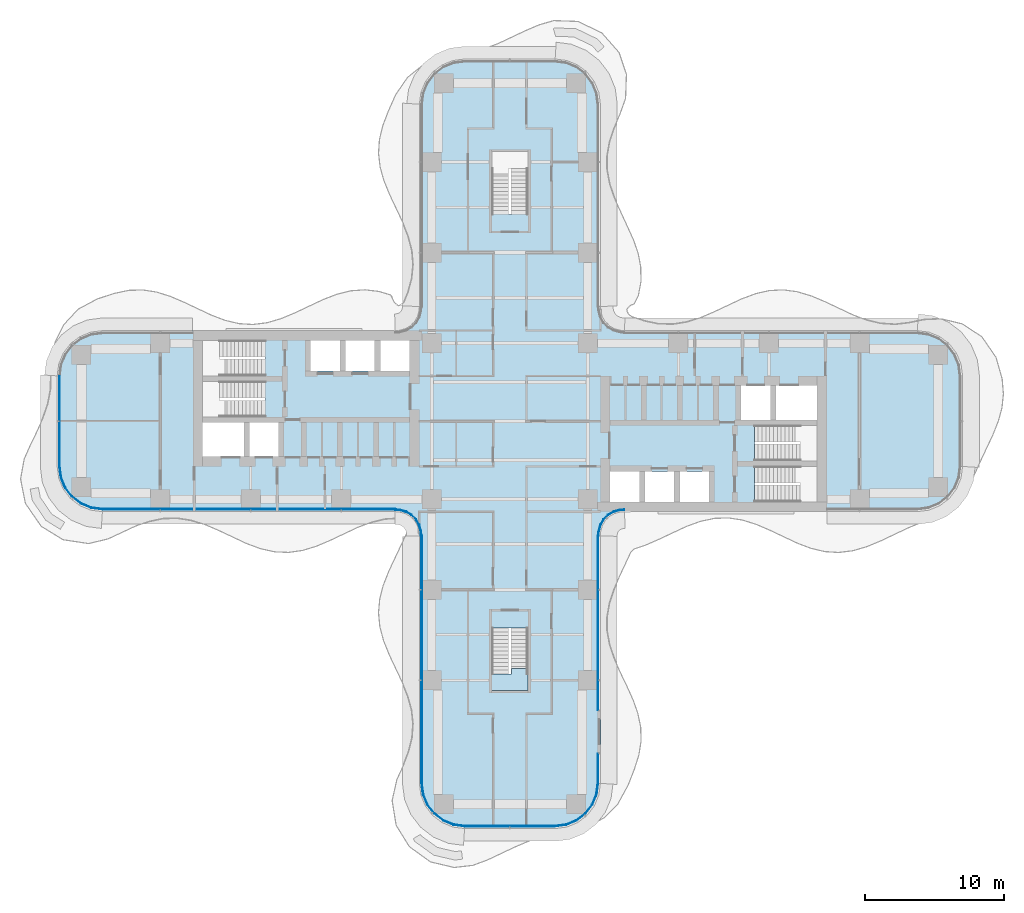
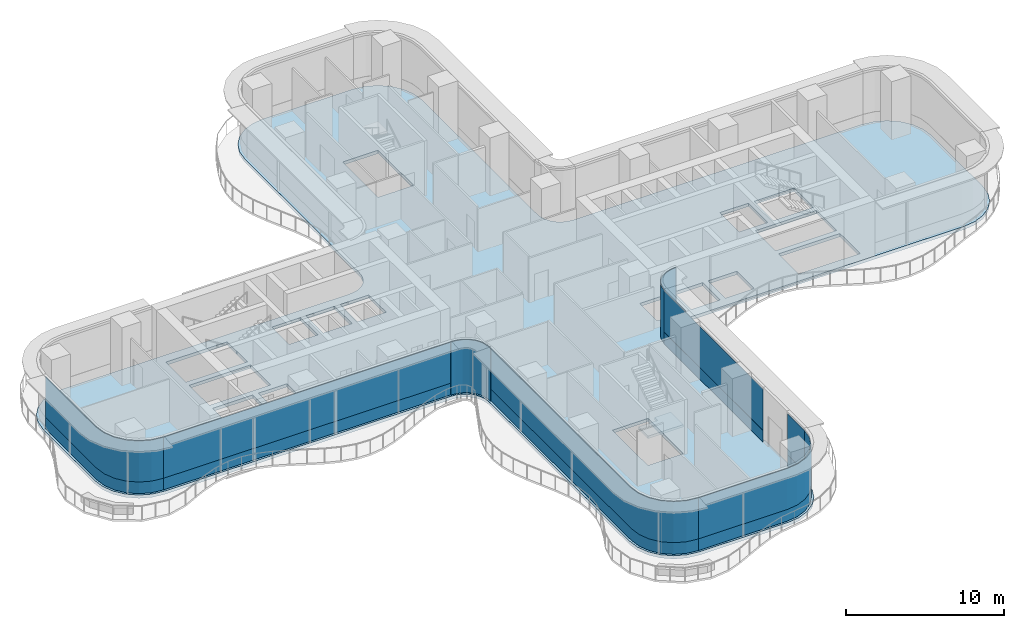
# One storey, part 14 of 23: 14 plates, 2 slabs, 9 elements without a shape of their own.
"""IFC4 building model written with IfcOpenShell, lengths in metres."""

from ifc_helpers import new_model, si_unit, direction, frame, origin, place, context, subcontext, project, spatial, polyline, outline, extrude, source, transform, mapped, material, layer, layer_set, type_object, element, aggregate, save


model = new_model("IFC4")

# Units and contexts
model_context = context("Model", 3, precision=1e-05, world=origin(), true_north=direction((0.0, 1.0)))
body_context = subcontext(model_context, "Body", "Model", "MODEL_VIEW")
ifc_project = project(units=[si_unit("LENGTHUNIT", "METRE"), si_unit("AREAUNIT", "SQUARE_METRE"), si_unit("VOLUMEUNIT", "CUBIC_METRE"), si_unit("PLANEANGLEUNIT", "RADIAN"), si_unit("MASSUNIT", "GRAM", prefix="KILO")], contexts=[model_context])

# Site, building, storey
site_placement = place(None, origin())
site = spatial("IfcSite", under=ifc_project, at=site_placement, CompositionType="ELEMENT")
building_placement = place(site_placement, origin())
building = spatial("IfcBuilding", under=site, at=building_placement, Name="Trellis Farm Tower", CompositionType="ELEMENT")
storey_placement = place(building_placement, frame((0.0, 0.0, 74.5)))
storey = spatial("IfcBuildingStorey", under=building, at=storey_placement, Name="L15", CompositionType="ELEMENT", Elevation=74.5)

# Slab
ifc_material_1 = material(Name="Concrete C40/50", Category="concrete")
ifc_layer_1 = layer(ifc_material_1, 0.25)
ifc_layer_set_1 = layer_set([ifc_layer_1], Name="Composite deck floor slab 250")
slab_type_1 = type_object("IfcSlabType", Name="Composite deck floor slab 250", PredefinedType="FLOOR", material=ifc_layer_set_1)
shared_shape_1 = source(origin(), body_context, "Body", "SweptSolid", [
    extrude(outline(polyline([(-30.09130859375, -6.389404296875), (-30.875, -6.064697265625), (-31.548095703125, -5.548095703125), (-32.064697265625, -4.875), (-32.389404296875, -4.09130859375), (-32.5, -3.25), (-32.5, 3.25), (-32.389404296875, 4.09130859375), (-32.064697265625, 4.875), (-31.548095703125, 5.548095703125), (-30.875, 6.064697265625), (-30.09130859375, 6.389404296875), (-29.25, 6.5), (-8.2314453125, 6.5), (-8.01953125, 6.513916015625), (-7.91552734375, 6.527587890625), (-7.508544921875, 6.63671875), (-7.144287109375, 6.846923828125), (-6.846923828125, 7.144287109375), (-6.63671875, 7.508544921875), (-6.527587890625, 7.91552734375), (-6.513916015625, 8.01953125), (-6.5, 8.2314453125), (-6.5, 22.75), (-6.389404296875, 23.59130859375), (-6.064697265625, 24.375), (-5.548095703125, 25.048095703125), (-4.875, 25.564697265625), (-4.09130859375, 25.889404296875), (-3.25, 26.0), (3.25, 26.0), (4.09130859375, 25.889404296875), (4.875, 25.564697265625), (5.548095703125, 25.048095703125), (6.064697265625, 24.375), (6.389404296875, 23.59130859375), (6.5, 22.75), (6.5, 8.2314453125), (6.513916015625, 8.01953125), (6.527587890625, 7.91552734375), (6.63671875, 7.508544921875), (6.846923828125, 7.144287109375), (7.144287109375, 6.846923828125), (7.508544921875, 6.63671875), (7.91552734375, 6.527587890625), (8.01953125, 6.513916015625), (8.2314453125, 6.5), (29.25, 6.5), (30.09130859375, 6.389404296875), (30.875, 6.064697265625), (31.548095703125, 5.548095703125), (32.064697265625, 4.875), (32.389404296875, 4.09130859375), (32.5, 3.25), (32.5, -3.25), (32.389404296875, -4.09130859375), (32.064697265625, -4.875), (31.548095703125, -5.548095703125), (30.875, -6.064697265625), (30.09130859375, -6.389404296875), (29.25, -6.5), (8.2314453125, -6.5), (8.01953125, -6.513916015625), (7.91552734375, -6.527587890625), (7.508544921875, -6.63671875), (7.144287109375, -6.846923828125), (6.846923828125, -7.144287109375), (6.63671875, -7.508544921875), (6.527587890625, -7.91552734375), (6.513916015625, -8.01953125), (6.5, -8.2314453125), (6.5, -26.0), (6.389404296875, -26.84130859375), (6.064697265625, -27.625), (5.548095703125, -28.298095703125), (4.875, -28.814697265625), (4.09130859375, -29.139404296875), (3.25, -29.25), (-3.25, -29.25), (-4.09130859375, -29.139404296875), (-4.875, -28.814697265625), (-5.548095703125, -28.298095703125), (-6.064697265625, -27.625), (-6.389404296875, -26.84130859375), (-6.5, -26.0), (-6.5, -8.2314453125), (-6.513916015625, -8.01953125), (-6.527587890625, -7.91552734375), (-6.63671875, -7.508544921875), (-6.846923828125, -7.144287109375), (-7.144287109375, -6.846923828125), (-7.508544921875, -6.63671875), (-7.91552734375, -6.527587890625), (-8.01953125, -6.513916015625), (-8.2314453125, -6.5), (-29.25, -6.5), (-30.09130859375, -6.389404296875)]), holes=[polyline([(-22.050048828125, -0.10009765625), (-22.050048828125, -2.550048828125), (-19.10009765625, -2.550048828125), (-19.10009765625, -0.10009765625), (-22.050048828125, -0.10009765625)]), polyline([(-18.699951171875, -0.10009765625), (-18.699951171875, -2.550048828125), (-16.60009765625, -2.550048828125), (-16.60009765625, -0.10009765625), (-18.699951171875, -0.10009765625)]), polyline([(-17.56201171875, 1.64990234375), (-17.56201171875, 2.85009765625), (-22.050048828125, 2.85009765625), (-22.050048828125, 0.300048828125), (-17.56005859375, 0.300048828125), (-17.56005859375, 1.5), (-17.550048828125, 1.5), (-17.550048828125, 1.64990234375), (-17.56201171875, 1.64990234375)]), polyline([(-17.56201171875, 4.60009765625), (-17.56201171875, 5.800048828125), (-22.050048828125, 5.800048828125), (-22.050048828125, 3.25), (-17.56005859375, 3.25), (-17.56005859375, 4.449951171875), (-17.550048828125, 4.449951171875), (-17.550048828125, 4.60009765625), (-17.56201171875, 4.60009765625)]), polyline([(-14.300048828125, 5.800048828125), (-14.300048828125, 3.60009765625), (-12.199951171875, 3.60009765625), (-12.199951171875, 5.800048828125), (-14.300048828125, 5.800048828125)]), polyline([(-11.800048828125, 5.800048828125), (-11.800048828125, 3.60009765625), (-9.699951171875, 3.60009765625), (-9.699951171875, 5.800048828125), (-11.800048828125, 5.800048828125)]), polyline([(-9.300048828125, 5.800048828125), (-9.300048828125, 3.60009765625), (-7.199951171875, 3.60009765625), (-7.199951171875, 5.800048828125), (-9.300048828125, 5.800048828125)]), polyline([(0.10009765625, 14.862060546875), (1.300048828125, 14.862060546875), (1.300048828125, 19.35009765625), (-1.300048828125, 19.35009765625), (-1.300048828125, 14.860107421875), (-0.10009765625, 14.860107421875), (-0.10009765625, 14.85009765625), (0.10009765625, 14.85009765625), (0.10009765625, 14.862060546875)]), polyline([(-0.10009765625, -14.862060546875), (-1.300048828125, -14.862060546875), (-1.300048828125, -19.35009765625), (1.300048828125, -19.35009765625), (1.300048828125, -14.860107421875), (0.10009765625, -14.860107421875), (0.10009765625, -14.85009765625), (-0.10009765625, -14.85009765625), (-0.10009765625, -14.862060546875)]), polyline([(9.300048828125, -5.800048828125), (9.300048828125, -3.60009765625), (7.199951171875, -3.60009765625), (7.199951171875, -5.800048828125), (9.300048828125, -5.800048828125)]), polyline([(11.800048828125, -5.800048828125), (11.800048828125, -3.60009765625), (9.699951171875, -3.60009765625), (9.699951171875, -5.800048828125), (11.800048828125, -5.800048828125)]), polyline([(14.300048828125, -5.800048828125), (14.300048828125, -3.60009765625), (12.199951171875, -3.60009765625), (12.199951171875, -5.800048828125), (14.300048828125, -5.800048828125)]), polyline([(17.56201171875, -4.60009765625), (17.56201171875, -5.800048828125), (22.050048828125, -5.800048828125), (22.050048828125, -3.25), (17.56005859375, -3.25), (17.56005859375, -4.449951171875), (17.550048828125, -4.449951171875), (17.550048828125, -4.60009765625), (17.56201171875, -4.60009765625)]), polyline([(17.56201171875, -1.64990234375), (17.56201171875, -2.85009765625), (22.050048828125, -2.85009765625), (22.050048828125, -0.300048828125), (17.56005859375, -0.300048828125), (17.56005859375, -1.5), (17.550048828125, -1.5), (17.550048828125, -1.64990234375), (17.56201171875, -1.64990234375)]), polyline([(18.699951171875, 0.10009765625), (18.699951171875, 2.550048828125), (16.60009765625, 2.550048828125), (16.60009765625, 0.10009765625), (18.699951171875, 0.10009765625)]), polyline([(22.050048828125, 0.10009765625), (22.050048828125, 2.550048828125), (19.10009765625, 2.550048828125), (19.10009765625, 0.10009765625), (22.050048828125, 0.10009765625)])]), origin(), (0.0, 0.0, 1.0), 0.25),
])
slab_1_placement = place(storey_placement, frame((0.0, 0.0, -0.25)))
element("IfcSlab", 1, at=slab_1_placement, inside=storey, type_object=slab_type_1, Name="Floor slab", PredefinedType="FLOOR", context=body_context, shape_type="MappedRepresentation", body=[
    mapped(shared_shape_1, transform((0.0, 0.0, 0.0))),
])

# Stair, slab
ifc_material_2 = material(Name="Concrete C50/60", Category="concrete")
stair_type = type_object("IfcStairType", Name="CORE EXIT STAIR 26 RISERS 173 MM", PredefinedType="HALF_TURN_STAIR", material=ifc_material_2)
placement_1 = place(storey_placement, origin())
stair = element("IfcStair", 2, at=placement_1, inside=storey, type_object=stair_type, Name="Exit stair S", PredefinedType="HALF_TURN_STAIR")
ifc_layer_2 = layer(ifc_material_2, 0.18994140625)
ifc_layer_set_2 = layer_set([ifc_layer_2], Name="CORE STAIR LANDING 190 CONCRETE C50/60")
slab_type_2 = type_object("IfcSlabType", Name="CORE STAIR LANDING 190 CONCRETE C50/60", PredefinedType="LANDING", material=ifc_layer_set_2)
shared_shape_2 = source(origin(), body_context, "Body", "SweptSolid", [
    extrude(outline(polyline([(1.300048828125, -19.35009765625), (-1.300048828125, -19.35009765625), (-1.300048828125, -18.14990234375), (-1.300048828125, -18.139892578125), (-0.10009765625, -18.139892578125), (-0.10009765625, -18.14990234375), (0.10009765625, -18.14990234375), (0.10009765625, -17.753173828125), (1.300048828125, -17.753173828125), (1.300048828125, -18.14990234375), (1.300048828125, -19.35009765625)])), origin(), (0.0, 0.0, 1.0), 0.18994140625),
])
slab_2_placement = place(storey_placement, frame((0.0, 0.0, 2.06005859375)))
slab_2 = element("IfcSlab", 3, at=slab_2_placement, type_object=slab_type_2, Name="STS landing 1", PredefinedType="LANDING", context=body_context, shape_type="MappedRepresentation", body=[
    mapped(shared_shape_2, transform((0.0, 0.0, 0.0))),
])
aggregate(stair, [slab_2])

# Curtain wall, plates
ifc_material_3 = material(Name="Aluminium and glass curtain wall", Category="aluminium")
ifc_layer_3 = layer(ifc_material_3, 0.18994140625)
ifc_layer_set_3 = layer_set([ifc_layer_3], Name="RIBBON CURTAIN WALL CW1")
curtain_wall_type_1 = type_object("IfcCurtainWallType", Name="RIBBON CURTAIN WALL CW1", PredefinedType="NOTDEFINED", material=ifc_layer_set_3)
curtain_wall_1 = element("IfcCurtainWall", 4, at=placement_1, inside=storey, type_object=curtain_wall_type_1, Name="CW1 001", PredefinedType="NOTDEFINED")
ifc_material_4 = material(Name="Clear insulated glass", Category="glass")
ifc_layer_4 = layer(ifc_material_4, 0.0400390625)
ifc_layer_set_4 = layer_set([ifc_layer_4], Name="CW1 GLASS PANEL 40")
plate_type_1 = type_object("IfcPlateType", Name="CW1 GLASS PANEL 40", PredefinedType="CURTAIN_PANEL", material=ifc_layer_set_4)
shared_shape_3 = source(origin(), body_context, "Body", "SweptSolid", [
    extrude(outline(polyline([(-29.240234375, -6.35009765625), (-8.2265625, -6.35009765625), (-8.22509765625, -6.31005859375), (-29.237548828125, -6.31005859375), (-29.240234375, -6.35009765625)])), origin(), (0.0, 0.0, 1.0), 3.170166015625),
])
placement_2 = place(storey_placement, frame((0.0, 0.0, 0.89990234375)))
plate_1 = element("IfcPlate", 5, at=placement_2, type_object=plate_type_1, Name="PL1 001", PredefinedType="CURTAIN_PANEL", context=body_context, shape_type="MappedRepresentation", body=[
    mapped(shared_shape_3, transform((0.0, 0.0, 0.0))),
])
ifc_material_5 = material(Name="Sandstone faced insulated panel", Category="masonry")
ifc_layer_5 = layer(ifc_material_5, 0.050048828125)
ifc_layer_set_5 = layer_set([ifc_layer_5], Name="CW1 STONE SPANDREL PANEL 50")
plate_type_2 = type_object("IfcPlateType", Name="CW1 STONE SPANDREL PANEL 50", PredefinedType="CURTAIN_PANEL", material=ifc_layer_set_5)
shared_shape_4 = source(origin(), body_context, "Body", "SweptSolid", [
    extrude(outline(polyline([(-29.240234375, -6.35009765625), (-8.2265625, -6.35009765625), (-8.224853515625, -6.300048828125), (-29.23681640625, -6.300048828125), (-29.240234375, -6.35009765625)])), origin(), (0.0, 0.0, 1.0), 0.89990234375),
])
plate_2 = element("IfcPlate", 6, at=placement_1, type_object=plate_type_2, Name="PS1 001", PredefinedType="CURTAIN_PANEL", context=body_context, shape_type="MappedRepresentation", body=[
    mapped(shared_shape_4, transform((0.0, 0.0, 0.0))),
])
aggregate(curtain_wall_1, [plate_1, plate_2])

# Curtain wall, plate
ifc_layer_6 = layer(ifc_material_3, 0.166015625)
ifc_layer_set_6 = layer_set([ifc_layer_6], Name="WINTER GARDEN CURTAIN WALL CW3")
curtain_wall_type_2 = type_object("IfcCurtainWallType", Name="WINTER GARDEN CURTAIN WALL CW3", PredefinedType="NOTDEFINED", material=ifc_layer_set_6)
curtain_wall_2 = element("IfcCurtainWall", 7, at=placement_1, inside=storey, type_object=curtain_wall_type_2, Name="CW3 001", PredefinedType="NOTDEFINED")
ifc_layer_7 = layer(ifc_material_4, 0.0458984375)
ifc_layer_set_7 = layer_set([ifc_layer_7], Name="CW3 GLASS PANEL 46")
plate_type_3 = type_object("IfcPlateType", Name="CW3 GLASS PANEL 46", PredefinedType="CURTAIN_PANEL", material=ifc_layer_set_7)
shared_shape_5 = source(origin(), body_context, "Body", "SweptSolid", [
    extrude(outline(polyline([(-8.2275390625, -6.3798828125), (-8.0078125, -6.394287109375), (-7.89208984375, -6.40966796875), (-7.462158203125, -6.52490234375), (-7.070556640625, -6.7509765625), (-6.7509765625, -7.070556640625), (-6.52490234375, -7.462158203125), (-6.40966796875, -7.89208984375), (-6.394287109375, -8.0078125), (-6.3798828125, -8.2275390625), (-6.333984375, -8.22607421875), (-6.3486328125, -8.003173828125), (-6.364501953125, -7.883056640625), (-6.48193359375, -7.4443359375), (-6.714111328125, -7.04248046875), (-7.04248046875, -6.714111328125), (-7.4443359375, -6.48193359375), (-7.883056640625, -6.364501953125), (-8.003173828125, -6.3486328125), (-8.22607421875, -6.333984375), (-8.2275390625, -6.3798828125)])), origin(), (0.0, 0.0, 1.0), 4.10009765625),
])
plate_3 = element("IfcPlate", 8, at=placement_1, type_object=plate_type_3, Name="PL3 001", PredefinedType="CURTAIN_PANEL", context=body_context, shape_type="MappedRepresentation", body=[
    mapped(shared_shape_5, transform((0.0, 0.0, 0.0))),
])
aggregate(curtain_wall_2, [plate_3])

# Curtain wall, plates
curtain_wall_3 = element("IfcCurtainWall", 9, at=placement_1, inside=storey, type_object=curtain_wall_type_1, Name="CW1 003", PredefinedType="NOTDEFINED")
shared_shape_6 = source(origin(), body_context, "Body", "SweptSolid", [
    extrude(outline(polyline([(-3.240234375, -29.10009765625), (3.240234375, -29.10009765625), (4.052001953125, -28.9931640625), (4.79931640625, -28.68359375), (5.441162109375, -28.191162109375), (5.93359375, -27.54931640625), (6.2431640625, -26.802001953125), (6.35009765625, -25.990234375), (6.31005859375, -25.987548828125), (6.2041015625, -26.79150390625), (5.898681640625, -27.529296875), (5.41259765625, -28.16259765625), (4.779296875, -28.648681640625), (4.04150390625, -28.9541015625), (3.237548828125, -29.06005859375), (-3.237548828125, -29.06005859375), (-3.240234375, -29.10009765625)])), origin(), (0.0, 0.0, 1.0), 3.170166015625),
])
plate_4 = element("IfcPlate", 10, at=placement_2, type_object=plate_type_1, Name="PL1 003", PredefinedType="CURTAIN_PANEL", context=body_context, shape_type="MappedRepresentation", body=[
    mapped(shared_shape_6, transform((0.0, 0.0, 0.0))),
])
shared_shape_7 = source(origin(), body_context, "Body", "SweptSolid", [
    extrude(outline(polyline([(-3.240234375, -29.10009765625), (3.240234375, -29.10009765625), (4.052001953125, -28.9931640625), (4.79931640625, -28.68359375), (5.441162109375, -28.191162109375), (5.93359375, -27.54931640625), (6.2431640625, -26.802001953125), (6.35009765625, -25.990234375), (6.300048828125, -25.98681640625), (6.1943359375, -26.7890625), (5.889892578125, -27.524169921875), (5.405517578125, -28.155517578125), (4.774169921875, -28.639892578125), (4.0390625, -28.9443359375), (3.23681640625, -29.050048828125), (-3.23681640625, -29.050048828125), (-3.240234375, -29.10009765625)])), origin(), (0.0, 0.0, 1.0), 0.89990234375),
])
plate_5 = element("IfcPlate", 11, at=placement_1, type_object=plate_type_2, Name="PS1 003", PredefinedType="CURTAIN_PANEL", context=body_context, shape_type="MappedRepresentation", body=[
    mapped(shared_shape_7, transform((0.0, 0.0, 0.0))),
])
aggregate(curtain_wall_3, [plate_4, plate_5])

# Curtain wall, plate
curtain_wall_4 = element("IfcCurtainWall", 12, at=placement_1, inside=storey, type_object=curtain_wall_type_2, Name="CW3 002", PredefinedType="NOTDEFINED")
shared_shape_8 = source(origin(), body_context, "Body", "SweptSolid", [
    extrude(outline(polyline([(6.3798828125, -8.2275390625), (6.394287109375, -8.0078125), (6.40966796875, -7.89208984375), (6.52490234375, -7.462158203125), (6.7509765625, -7.070556640625), (7.070556640625, -6.7509765625), (7.462158203125, -6.52490234375), (7.89208984375, -6.40966796875), (8.0078125, -6.394287109375), (8.2275390625, -6.3798828125), (8.22607421875, -6.333984375), (8.003173828125, -6.3486328125), (7.883056640625, -6.364501953125), (7.4443359375, -6.48193359375), (7.04248046875, -6.714111328125), (6.714111328125, -7.04248046875), (6.48193359375, -7.4443359375), (6.364501953125, -7.883056640625), (6.3486328125, -8.003173828125), (6.333984375, -8.22607421875), (6.3798828125, -8.2275390625)])), origin(), (0.0, 0.0, 1.0), 4.10009765625),
])
plate_6 = element("IfcPlate", 13, at=placement_1, type_object=plate_type_3, Name="PL3 002", PredefinedType="CURTAIN_PANEL", context=body_context, shape_type="MappedRepresentation", body=[
    mapped(shared_shape_8, transform((0.0, 0.0, 0.0))),
])
aggregate(curtain_wall_4, [plate_6])

# Curtain wall, plates
curtain_wall_5 = element("IfcCurtainWall", 14, at=placement_1, inside=storey, type_object=curtain_wall_type_1, Name="CW1 002", PredefinedType="NOTDEFINED")
shared_shape_9 = source(origin(), body_context, "Body", "SweptSolid", [
    extrude(outline(polyline([(-6.35009765625, -8.2265625), (-6.35009765625, -25.990234375), (-6.2431640625, -26.802001953125), (-5.93359375, -27.54931640625), (-5.441162109375, -28.191162109375), (-4.79931640625, -28.68359375), (-4.052001953125, -28.9931640625), (-3.240234375, -29.10009765625), (-3.237548828125, -29.06005859375), (-4.04150390625, -28.9541015625), (-4.779296875, -28.648681640625), (-5.41259765625, -28.16259765625), (-5.898681640625, -27.529296875), (-6.2041015625, -26.79150390625), (-6.31005859375, -25.987548828125), (-6.31005859375, -8.22509765625), (-6.35009765625, -8.2265625)])), origin(), (0.0, 0.0, 1.0), 3.170166015625),
])
plate_7 = element("IfcPlate", 15, at=placement_2, type_object=plate_type_1, Name="PL1 002", PredefinedType="CURTAIN_PANEL", context=body_context, shape_type="MappedRepresentation", body=[
    mapped(shared_shape_9, transform((0.0, 0.0, 0.0))),
])
shared_shape_10 = source(origin(), body_context, "Body", "SweptSolid", [
    extrude(outline(polyline([(-6.35009765625, -8.2265625), (-6.35009765625, -25.990234375), (-6.2431640625, -26.802001953125), (-5.93359375, -27.54931640625), (-5.441162109375, -28.191162109375), (-4.79931640625, -28.68359375), (-4.052001953125, -28.9931640625), (-3.240234375, -29.10009765625), (-3.23681640625, -29.050048828125), (-4.0390625, -28.9443359375), (-4.774169921875, -28.639892578125), (-5.405517578125, -28.155517578125), (-5.889892578125, -27.524169921875), (-6.1943359375, -26.7890625), (-6.300048828125, -25.98681640625), (-6.300048828125, -8.224853515625), (-6.35009765625, -8.2265625)])), origin(), (0.0, 0.0, 1.0), 0.89990234375),
])
plate_8 = element("IfcPlate", 16, at=placement_1, type_object=plate_type_2, Name="PS1 002", PredefinedType="CURTAIN_PANEL", context=body_context, shape_type="MappedRepresentation", body=[
    mapped(shared_shape_10, transform((0.0, 0.0, 0.0))),
])
aggregate(curtain_wall_5, [plate_7, plate_8])

curtain_wall_6 = element("IfcCurtainWall", 17, at=placement_1, inside=storey, type_object=curtain_wall_type_1, Name="CW1 013", PredefinedType="NOTDEFINED")
shared_shape_11 = source(origin(), body_context, "Body", "SweptSolid", [
    extrude(outline(polyline([(-32.35009765625, 3.240234375), (-32.35009765625, -3.240234375), (-32.2431640625, -4.052001953125), (-31.93359375, -4.79931640625), (-31.441162109375, -5.441162109375), (-30.79931640625, -5.93359375), (-30.052001953125, -6.2431640625), (-29.240234375, -6.35009765625), (-29.237548828125, -6.31005859375), (-30.04150390625, -6.2041015625), (-30.779296875, -5.898681640625), (-31.41259765625, -5.41259765625), (-31.898681640625, -4.779296875), (-32.2041015625, -4.04150390625), (-32.31005859375, -3.237548828125), (-32.31005859375, 3.237548828125), (-32.35009765625, 3.240234375)])), origin(), (0.0, 0.0, 1.0), 3.170166015625),
])
plate_9 = element("IfcPlate", 18, at=placement_2, type_object=plate_type_1, Name="PL1 013", PredefinedType="CURTAIN_PANEL", context=body_context, shape_type="MappedRepresentation", body=[
    mapped(shared_shape_11, transform((0.0, 0.0, 0.0))),
])
shared_shape_12 = source(origin(), body_context, "Body", "SweptSolid", [
    extrude(outline(polyline([(-32.35009765625, 3.240234375), (-32.35009765625, -3.240234375), (-32.2431640625, -4.052001953125), (-31.93359375, -4.79931640625), (-31.441162109375, -5.441162109375), (-30.79931640625, -5.93359375), (-30.052001953125, -6.2431640625), (-29.240234375, -6.35009765625), (-29.23681640625, -6.300048828125), (-30.0390625, -6.1943359375), (-30.774169921875, -5.889892578125), (-31.405517578125, -5.405517578125), (-31.889892578125, -4.774169921875), (-32.1943359375, -4.0390625), (-32.300048828125, -3.23681640625), (-32.300048828125, 3.23681640625), (-32.35009765625, 3.240234375)])), origin(), (0.0, 0.0, 1.0), 0.89990234375),
])
plate_10 = element("IfcPlate", 19, at=placement_1, type_object=plate_type_2, Name="PS1 013", PredefinedType="CURTAIN_PANEL", context=body_context, shape_type="MappedRepresentation", body=[
    mapped(shared_shape_12, transform((0.0, 0.0, 0.0))),
])
aggregate(curtain_wall_6, [plate_9, plate_10])

curtain_wall_7 = element("IfcCurtainWall", 20, at=placement_1, inside=storey, type_object=curtain_wall_type_1, Name="CW1 004", PredefinedType="NOTDEFINED")
shared_shape_13 = source(origin(), body_context, "Body", "SweptSolid", [
    extrude(outline(polyline([(6.35009765625, -25.990234375), (6.35009765625, -23.860107421875), (6.31005859375, -23.860107421875), (6.31005859375, -25.987548828125), (6.35009765625, -25.990234375)])), origin(), (0.0, 0.0, 1.0), 3.170166015625),
])
plate_11 = element("IfcPlate", 21, at=placement_2, type_object=plate_type_1, Name="PL1 004", PredefinedType="CURTAIN_PANEL", context=body_context, shape_type="MappedRepresentation", body=[
    mapped(shared_shape_13, transform((0.0, 0.0, 0.0))),
])
shared_shape_14 = source(origin(), body_context, "Body", "SweptSolid", [
    extrude(outline(polyline([(6.35009765625, -25.990234375), (6.35009765625, -23.860107421875), (6.300048828125, -23.860107421875), (6.300048828125, -25.98681640625), (6.35009765625, -25.990234375)])), origin(), (0.0, 0.0, 1.0), 0.89990234375),
])
plate_12 = element("IfcPlate", 22, at=placement_1, type_object=plate_type_2, Name="PS1 004", PredefinedType="CURTAIN_PANEL", context=body_context, shape_type="MappedRepresentation", body=[
    mapped(shared_shape_14, transform((0.0, 0.0, 0.0))),
])
aggregate(curtain_wall_7, [plate_11, plate_12])

curtain_wall_8 = element("IfcCurtainWall", 23, at=placement_1, inside=storey, type_object=curtain_wall_type_1, Name="CW1 005", PredefinedType="NOTDEFINED")
shared_shape_15 = source(origin(), body_context, "Body", "SweptSolid", [
    extrude(outline(polyline([(6.35009765625, -20.739990234375), (6.35009765625, -8.2265625), (6.31005859375, -8.22509765625), (6.31005859375, -20.739990234375), (6.35009765625, -20.739990234375)])), origin(), (0.0, 0.0, 1.0), 3.170166015625),
])
plate_13 = element("IfcPlate", 24, at=placement_2, type_object=plate_type_1, Name="PL1 005", PredefinedType="CURTAIN_PANEL", context=body_context, shape_type="MappedRepresentation", body=[
    mapped(shared_shape_15, transform((0.0, 0.0, 0.0))),
])
shared_shape_16 = source(origin(), body_context, "Body", "SweptSolid", [
    extrude(outline(polyline([(6.35009765625, -20.739990234375), (6.35009765625, -8.2265625), (6.300048828125, -8.224853515625), (6.300048828125, -20.739990234375), (6.35009765625, -20.739990234375)])), origin(), (0.0, 0.0, 1.0), 0.89990234375),
])
plate_14 = element("IfcPlate", 25, at=placement_1, type_object=plate_type_2, Name="PS1 005", PredefinedType="CURTAIN_PANEL", context=body_context, shape_type="MappedRepresentation", body=[
    mapped(shared_shape_16, transform((0.0, 0.0, 0.0))),
])
aggregate(curtain_wall_8, [plate_13, plate_14])

save(model, "model.ifc")
